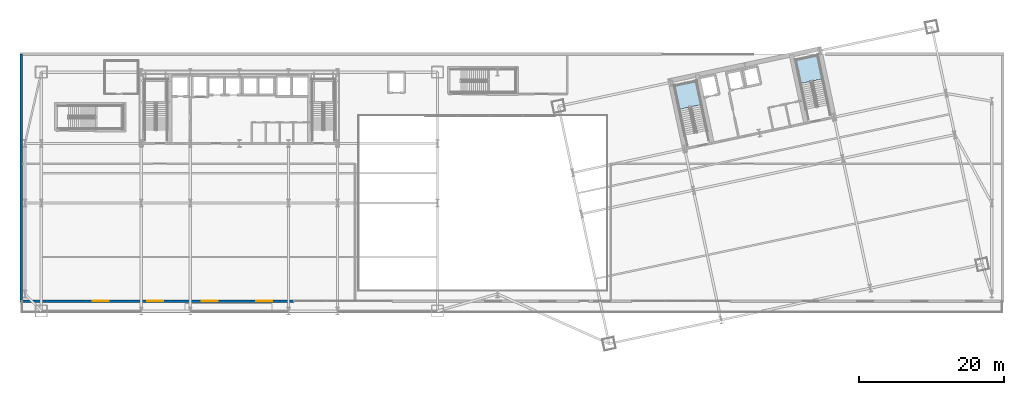
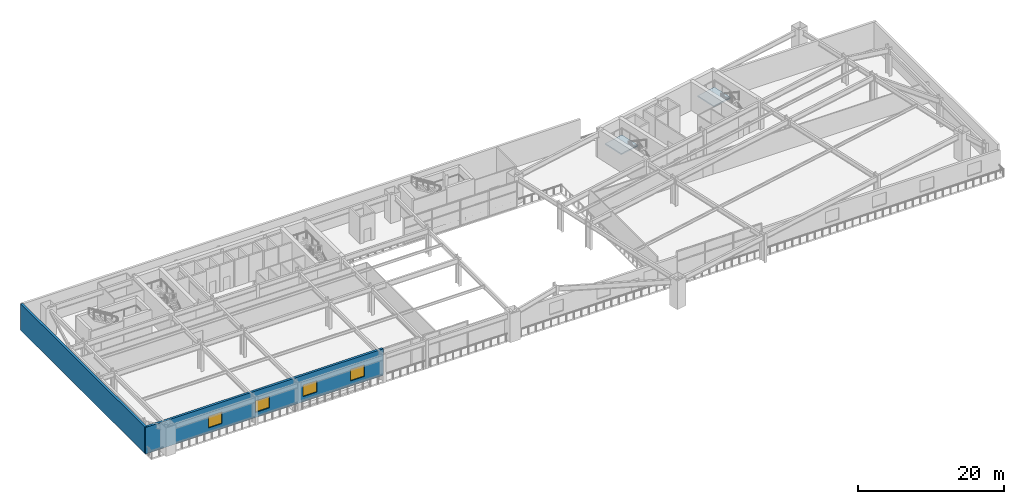
# One storey, part 18 of 35: 4 windows, 2 slabs, 2 walls, 4 openings, 2 elements without a shape of their own.
"""IFC4 building model written with IfcOpenShell, lengths in metres."""

from ifc_helpers import new_model, si_unit, direction, frame, frame_2d, origin, place, context, subcontext, project, spatial, polyline, rectangle, outline, extrude, material, layer, layer_set, type_object, element, fill, aggregate, save


model = new_model("IFC4")

# Units and contexts
model_context = context("Model", 3, precision=1e-05, world=origin(), true_north=direction((0.0, 1.0)))
body_context = subcontext(model_context, "Body", "Model", "MODEL_VIEW")
ifc_project = project(units=[si_unit("LENGTHUNIT", "METRE"), si_unit("AREAUNIT", "SQUARE_METRE"), si_unit("VOLUMEUNIT", "CUBIC_METRE"), si_unit("PLANEANGLEUNIT", "RADIAN"), si_unit("MASSUNIT", "GRAM", prefix="KILO")], contexts=[model_context])

# Site, building, storey
site_placement = place(None, origin())
site = spatial("IfcSite", under=ifc_project, at=site_placement, CompositionType="ELEMENT")
building_placement = place(site_placement, origin())
building = spatial("IfcBuilding", under=site, at=building_placement, Name="Haevon Station Towers", CompositionType="ELEMENT")
storey_placement = place(building_placement, frame((0.0, 0.0, 20.39990234375)))
storey = spatial("IfcBuildingStorey", under=building, at=storey_placement, Name="L04", CompositionType="ELEMENT", Elevation=20.39990234375)

# Stair, slab
ifc_material_1 = material(Name="Concrete C40/50", Category="concrete")
stair_type = type_object("IfcStairType", Name="STR-DL1450", PredefinedType="USERDEFINED", material=ifc_material_1)
stair_1_placement = place(storey_placement, origin())
stair_1 = element("IfcStair", 1, at=stair_1_placement, inside=storey, type_object=stair_type, Name="L04 Escape Stair ST3", ObjectType="TWO_RETURN_STAIR", PredefinedType="USERDEFINED")
ifc_layer_1 = layer(ifc_material_1, 0.199951171875)
ifc_layer_set_1 = layer_set([ifc_layer_1], Name="Concrete C40/50")
slab_type = type_object("IfcSlabType", Name="SL-LND200", PredefinedType="LANDING", material=ifc_layer_set_1)
slab_1_placement = place(storey_placement, frame((0.0, 0.0, 2.2001953125)))
slab_1 = element("IfcSlab", 2, at=slab_1_placement, type_object=slab_type, Name="L04 ST3 Half Landing 1", PredefinedType="LANDING", context=body_context, shape_type="SweptSolid", body=[
    extrude(outline(polyline([(101.05517578125, 43.538330078125), (100.36572265625, 46.781982421875), (97.33349609375, 46.137451171875), (98.02294921875, 42.893798828125), (101.05517578125, 43.538330078125)])), origin(), (0.0, 0.0, 1.0), 0.199951171875),
])
aggregate(stair_1, [slab_1])

stair_2_placement = place(storey_placement, origin())
stair_2 = element("IfcStair", 3, at=stair_2_placement, inside=storey, type_object=stair_type, Name="L04 Escape Stair ST4", ObjectType="TWO_RETURN_STAIR", PredefinedType="USERDEFINED")
slab_2_placement = place(storey_placement, frame((0.0, 0.0, 2.2001953125)))
slab_2 = element("IfcSlab", 4, at=slab_2_placement, type_object=slab_type, Name="L04 ST4 Half Landing 1", PredefinedType="LANDING", context=body_context, shape_type="SweptSolid", body=[
    extrude(outline(polyline([(117.742431640625, 47.08544921875), (117.052978515625, 50.328857421875), (114.020751953125, 49.684326171875), (114.710205078125, 46.44091796875), (117.742431640625, 47.08544921875)])), origin(), (0.0, 0.0, 1.0), 0.199951171875),
])
aggregate(stair_2, [slab_2])

# Wall, openings, windows
ifc_material_2 = material(Name="Precast concrete C45/55", Category="concrete")
ifc_layer_2 = layer(ifc_material_2, 0.360107421875)
ifc_layer_set_2 = layer_set([ifc_layer_2], Name="Precast concrete C45/55")
wall_type = type_object("IfcWallType", Name="WL-EXT-POD360", PredefinedType="SOLIDWALL", material=ifc_layer_set_2)
wall_1_placement = place(storey_placement, frame((45.0, 16.5, 0.0), z_axis=(0.0, 0.0, 1.0), x_axis=(-1.0, 0.0, 0.0)))
wall_1 = element("IfcWall", 5, at=wall_1_placement, inside=storey, type_object=wall_type, Name="WL-POD-L04-S3", PredefinedType="SOLIDWALL", context=body_context, shape_type="SweptSolid", body=[
    extrude(rectangle(XDim=37.679931640625, YDim=0.360107421875, at=frame_2d((18.83984375, 0.0))), origin(), (0.0, 0.0, 1.0), 4.43017578125),
])
opening_1_placement = place(wall_1_placement, frame((3.0, 0.0, 0.85009765625)))
opening_1 = element("IfcOpeningElement", 6, at=opening_1_placement, cuts=wall_1, Name="Opening WN-P220", PredefinedType="OPENING", context=body_context, shape_type="SweptSolid", body=[
    extrude(rectangle(XDim=2.199951171875, YDim=1.949951171875, at=frame_2d((1.10009765625, 0.97509765625))), frame((0.0, 0.18994140625, 0.0), z_axis=(0.0, -1.0, 0.0), x_axis=(1.0, 0.0, 0.0)), (0.0, 0.0, 1.0), 0.380126953125),
])
opening_2_placement = place(wall_1_placement, frame((10.5, 0.0, 0.85009765625)))
opening_2 = element("IfcOpeningElement", 7, at=opening_2_placement, cuts=wall_1, Name="Opening WN-P220", PredefinedType="OPENING", context=body_context, shape_type="SweptSolid", body=[
    extrude(rectangle(XDim=2.199951171875, YDim=1.949951171875, at=frame_2d((1.10009765625, 0.97509765625))), frame((0.0, 0.18994140625, 0.0), z_axis=(0.0, -1.0, 0.0), x_axis=(1.0, 0.0, 0.0)), (0.0, 0.0, 1.0), 0.380126953125),
])
opening_3_placement = place(wall_1_placement, frame((18.0, 0.0, 0.85009765625)))
opening_3 = element("IfcOpeningElement", 8, at=opening_3_placement, cuts=wall_1, Name="Opening WN-P220", PredefinedType="OPENING", context=body_context, shape_type="SweptSolid", body=[
    extrude(rectangle(XDim=2.199951171875, YDim=1.949951171875, at=frame_2d((1.10009765625, 0.97509765625))), frame((0.0, 0.18994140625, 0.0), z_axis=(0.0, -1.0, 0.0), x_axis=(1.0, 0.0, 0.0)), (0.0, 0.0, 1.0), 0.380126953125),
])
opening_4_placement = place(wall_1_placement, frame((25.5, 0.0, 0.85009765625)))
opening_4 = element("IfcOpeningElement", 9, at=opening_4_placement, cuts=wall_1, Name="Opening WN-P220", PredefinedType="OPENING", context=body_context, shape_type="SweptSolid", body=[
    extrude(rectangle(XDim=2.199951171875, YDim=1.949951171875, at=frame_2d((1.10009765625, 0.97509765625))), frame((0.0, 0.18994140625, 0.0), z_axis=(0.0, -1.0, 0.0), x_axis=(1.0, 0.0, 0.0)), (0.0, 0.0, 1.0), 0.380126953125),
])
ifc_material_3 = material(Name="Low-E triple glazing in thermally broken aluminium", Category="aluminium")
window_type = type_object("IfcWindowType", Name="WN-P220", PartitioningType="SINGLE_PANEL", PredefinedType="WINDOW", material=ifc_material_3)
window_1_placement = place(opening_1_placement, origin())
window_1 = element("IfcWindow", 10, at=window_1_placement, inside=storey, type_object=window_type, Name="WN-POD-L04-S3-01", OverallHeight=1.949951171875, OverallWidth=2.199951171875, PartitioningType="SINGLE_PANEL", PredefinedType="WINDOW", context=body_context, shape_type="SweptSolid", body=[
    extrude(rectangle(XDim=2.199951171875, YDim=1.949951171875, at=frame_2d((1.10009765625, 0.97509765625))), frame((0.0, 0.030029296875, 0.0), z_axis=(0.0, -1.0, 0.0), x_axis=(1.0, 0.0, 0.0)), (0.0, 0.0, 1.0), 0.06005859375),
])
fill(opening_1, window_1)
window_2_placement = place(opening_2_placement, origin())
window_2 = element("IfcWindow", 11, at=window_2_placement, inside=storey, type_object=window_type, Name="WN-POD-L04-S3-02", OverallHeight=1.949951171875, OverallWidth=2.199951171875, PartitioningType="SINGLE_PANEL", PredefinedType="WINDOW", context=body_context, shape_type="SweptSolid", body=[
    extrude(rectangle(XDim=2.199951171875, YDim=1.949951171875, at=frame_2d((1.10009765625, 0.97509765625))), frame((0.0, 0.030029296875, 0.0), z_axis=(0.0, -1.0, 0.0), x_axis=(1.0, 0.0, 0.0)), (0.0, 0.0, 1.0), 0.06005859375),
])
fill(opening_2, window_2)
window_3_placement = place(opening_3_placement, origin())
window_3 = element("IfcWindow", 12, at=window_3_placement, inside=storey, type_object=window_type, Name="WN-POD-L04-S3-03", OverallHeight=1.949951171875, OverallWidth=2.199951171875, PartitioningType="SINGLE_PANEL", PredefinedType="WINDOW", context=body_context, shape_type="SweptSolid", body=[
    extrude(rectangle(XDim=2.199951171875, YDim=1.949951171875, at=frame_2d((1.10009765625, 0.97509765625))), frame((0.0, 0.030029296875, 0.0), z_axis=(0.0, -1.0, 0.0), x_axis=(1.0, 0.0, 0.0)), (0.0, 0.0, 1.0), 0.06005859375),
])
fill(opening_3, window_3)
window_4_placement = place(opening_4_placement, origin())
window_4 = element("IfcWindow", 13, at=window_4_placement, inside=storey, type_object=window_type, Name="WN-POD-L04-S3-04", OverallHeight=1.949951171875, OverallWidth=2.199951171875, PartitioningType="SINGLE_PANEL", PredefinedType="WINDOW", context=body_context, shape_type="SweptSolid", body=[
    extrude(rectangle(XDim=2.199951171875, YDim=1.949951171875, at=frame_2d((1.10009765625, 0.97509765625))), frame((0.0, 0.030029296875, 0.0), z_axis=(0.0, -1.0, 0.0), x_axis=(1.0, 0.0, 0.0)), (0.0, 0.0, 1.0), 0.06005859375),
])
fill(opening_4, window_4)

# Wall
wall_2_placement = place(storey_placement, frame((7.5, 16.5, 0.0), z_axis=(0.0, 0.0, 1.0), x_axis=(0.0, 1.0, 0.0)))
element("IfcWall", 14, at=wall_2_placement, inside=storey, type_object=wall_type, Name="WL-POD-L04-W", PredefinedType="SOLIDWALL", context=body_context, shape_type="SweptSolid", body=[
    extrude(rectangle(XDim=34.0, YDim=0.360107421875, at=frame_2d((17.0, 0.0))), origin(), (0.0, 0.0, 1.0), 4.43017578125),
])

save(model, "model.ifc")
